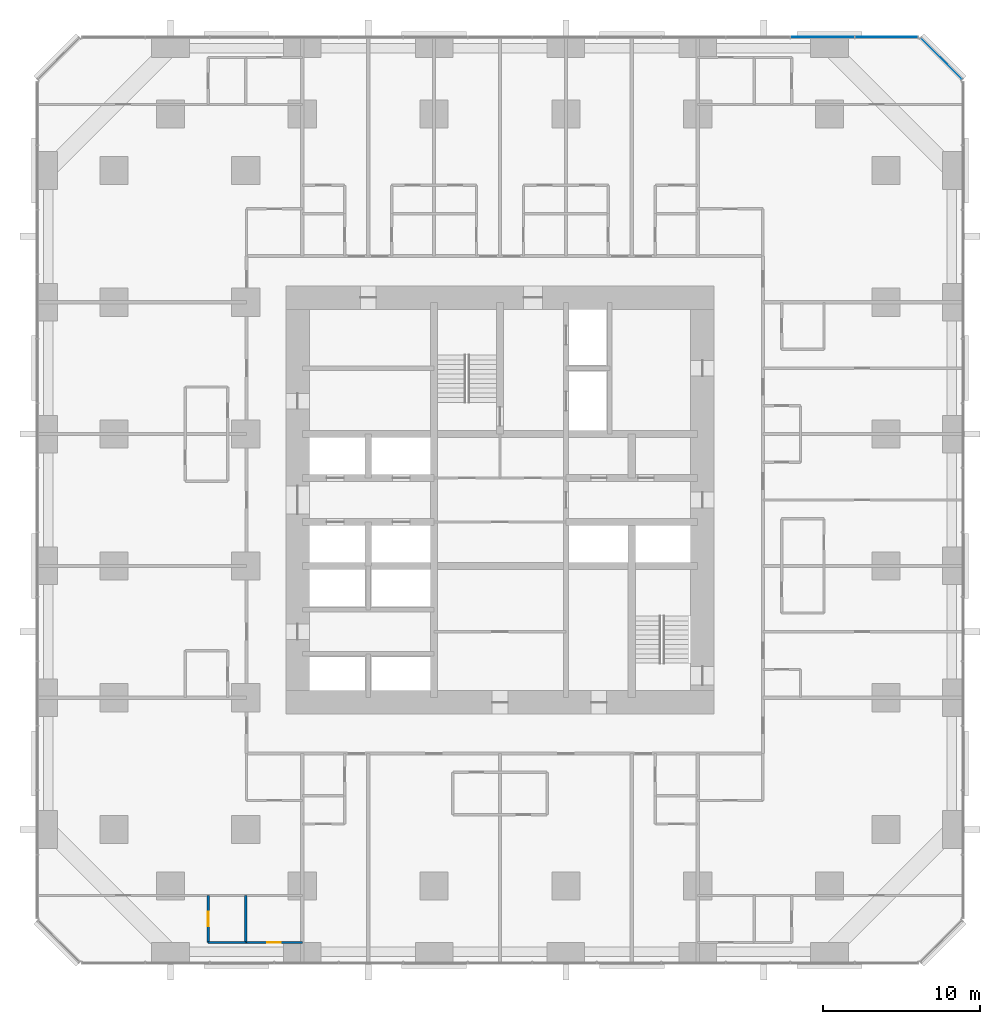
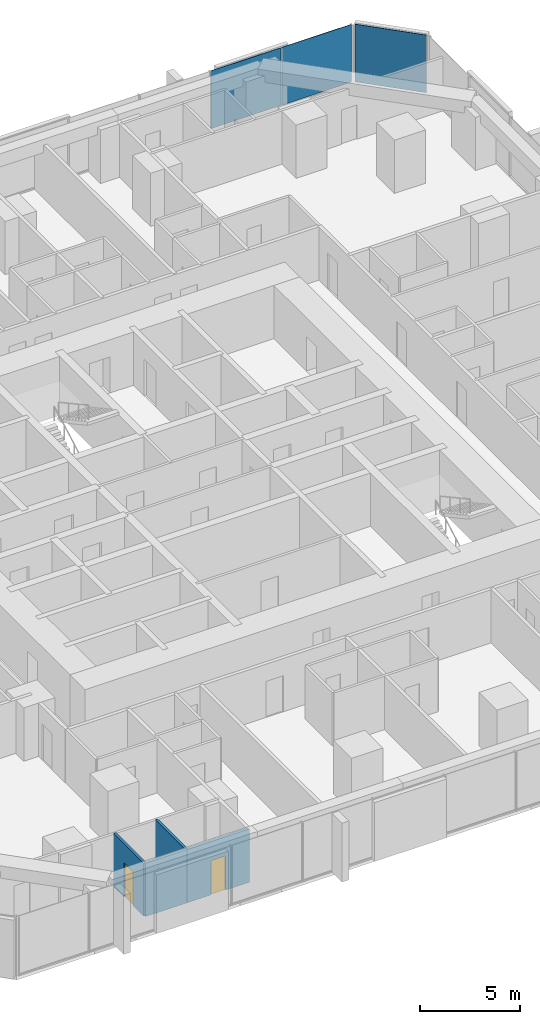
# One storey, part 10 of 17: 4 walls, 3 plates, 2 doors, 2 openings, 2 elements without a shape of their own.
"""IFC4 building model written with IfcOpenShell, lengths in metres."""

import ifcopenshell
import ifcopenshell.guid

model = None  # the IFC model being written
_history = None  # IfcOwnerHistory: only IFC2X3 demands one
_inside = {}  # id of a spatial element -> (the spatial element, [elements in it])
_under = {}  # id of a project, library or spatial element -> (it, [spatial elements below it])
_declared = {}  # id of a project -> (the project, [libraries it declares])
_typed = {}  # id of a type object -> (the type object, [elements of that type])
_made_of = {}  # id of a material, layer set ... -> (it, [elements and type objects made of it])


def new_model(schema):
    """Start an empty IFC model of exactly this schema.

    Asked for "IFC4X3", IfcOpenShell would pick the latest addendum, in which some entities
    have other attributes; the version numbers below select the first issue.
    IFC2X3 requires an IfcOwnerHistory on every rooted entity: one is made here for all.
    """
    global model, _history
    if schema == "IFC4X3":
        model = ifcopenshell.file(schema_version=(4, 3, 0, 0))
    else:
        model = ifcopenshell.file(schema=schema)
    _inside.clear()
    _under.clear()
    _declared.clear()
    _typed.clear()
    _made_of.clear()
    _history = None
    if model.schema == "IFC2X3":
        org = make("IfcOrganization", Name="unknown")
        user = make(
            "IfcPersonAndOrganization",
            ThePerson=make("IfcPerson", FamilyName="unknown"),
            TheOrganization=org,
        )
        app = make(
            "IfcApplication",
            ApplicationDeveloper=org,
            Version="unknown",
            ApplicationFullName="unknown",
            ApplicationIdentifier="unknown",
        )
        _history = make(
            "IfcOwnerHistory",
            OwningUser=user,
            OwningApplication=app,
            ChangeAction="ADDED",
            CreationDate=0,
        )
    return model


def make(cls, **values):
    """One entity of the class cls with the attributes given. An attribute that is None is left unset."""
    return model.create_entity(
        cls, **{name: value for name, value in values.items() if value is not None}
    )


def rooted(cls, **values):
    """An entity with a GlobalId (a new one), such as an element, a storey or a relation."""
    return make(cls, GlobalId=ifcopenshell.guid.new(), OwnerHistory=_history, **values)


def si_unit(unit_type, name, prefix=None):
    """IfcSIUnit, for example si_unit("LENGTHUNIT", "METRE", prefix="MILLI")."""
    return make("IfcSIUnit", UnitType=unit_type, Prefix=prefix, Name=name)


def assignment(units):
    """IfcUnitAssignment: the units of a project."""
    return None if units is None else make("IfcUnitAssignment", Units=units)


def point(xyz):
    """IfcCartesianPoint."""
    return None if xyz is None else make("IfcCartesianPoint", Coordinates=xyz)


def direction(xyz):
    """IfcDirection."""
    return None if xyz is None else make("IfcDirection", DirectionRatios=xyz)


def frame(location, z_axis=None, x_axis=None):
    """IfcAxis2Placement3D, a coordinate frame: its origin and axes. An axis left out is left unset."""
    return make(
        "IfcAxis2Placement3D",
        Location=point(location),
        Axis=direction(z_axis),
        RefDirection=direction(x_axis),
    )


def frame_2d(location, x_axis=None):
    """IfcAxis2Placement2D, a coordinate frame in the plane: its origin and x axis."""
    return make(
        "IfcAxis2Placement2D", Location=point(location), RefDirection=direction(x_axis)
    )


def origin():
    """The frame at (0, 0, 0) with its axes left unset."""
    return frame((0.0, 0.0, 0.0))


def origin_2d():
    """The frame at (0, 0) in the plane with its x axis left unset."""
    return frame_2d((0.0, 0.0))


def place(relative_to, where):
    """IfcLocalPlacement: puts the frame where relative to a parent placement (None: the world)."""
    return make(
        "IfcLocalPlacement", PlacementRelTo=relative_to, RelativePlacement=where
    )


def context(
    kind, dimensions, precision=None, world=None, true_north=None, identifier=None
):
    """IfcGeometricRepresentationContext, for example the 3D "Model" context."""
    return make(
        "IfcGeometricRepresentationContext",
        ContextIdentifier=identifier,
        ContextType=kind,
        CoordinateSpaceDimension=dimensions,
        Precision=precision,
        WorldCoordinateSystem=world,
        TrueNorth=true_north,
    )


def subcontext(parent, identifier, kind, view, scale=None):
    """IfcGeometricRepresentationSubContext, for example "Body" below "Model"."""
    return make(
        "IfcGeometricRepresentationSubContext",
        ContextIdentifier=identifier,
        ContextType=kind,
        ParentContext=parent,
        TargetScale=scale,
        TargetView=view,
    )


def project(units=None, contexts=None):
    """IfcProject with its units and contexts."""
    return rooted(
        "IfcProject",
        Name="project",
        RepresentationContexts=contexts,
        UnitsInContext=assignment(units),
    )


def spatial(cls, under=None, at=None, **own):
    """A site, building, storey or space (cls), placed at a placement, below another one or the project."""
    s = rooted(cls, ObjectPlacement=at, **own)
    if under is not None:
        _under.setdefault(under.id(), (under, []))[1].append(s)
    return s


def profile(cls, at=None, kind="AREA", **sizes):
    """A parametric profile (cls). Its sizes go by their IFC names, for example OverallWidth=200.0."""
    return make(cls, ProfileType=kind, Position=at, **sizes)


def rectangle(**sizes):
    """IfcRectangleProfileDef."""
    return profile("IfcRectangleProfileDef", **sizes)


def extrude(swept, where, along, depth):
    """IfcExtrudedAreaSolid: the profile swept, set in the frame where, extruded along a direction by depth."""
    return make(
        "IfcExtrudedAreaSolid",
        SweptArea=swept,
        Position=where,
        ExtrudedDirection=direction(along),
        Depth=depth,
    )


def shape(context_of_items, identifier, shape_type, items):
    """IfcShapeRepresentation: the items that make up one representation, for example the "Body"."""
    return make(
        "IfcShapeRepresentation",
        ContextOfItems=context_of_items,
        RepresentationIdentifier=identifier,
        RepresentationType=shape_type,
        Items=items,
    )


def material(Name=None, Category=None):
    """IfcMaterial."""
    return make("IfcMaterial", Name=Name, Category=Category)


def layer(
    of_material, thickness, ventilated=None, Name=None, Category=None, Priority=None
):
    """IfcMaterialLayer: one layer of a wall or slab, of a material (None: an air gap)."""
    return make(
        "IfcMaterialLayer",
        Material=of_material,
        LayerThickness=thickness,
        IsVentilated=ventilated,
        Name=Name,
        Category=Category,
        Priority=Priority,
    )


def layer_set(layers, Name=None):
    """IfcMaterialLayerSet."""
    return make("IfcMaterialLayerSet", MaterialLayers=layers, LayerSetName=Name)


def made_of(thing, what):
    """Note that an element or type object is made of a material, layer set ...; save() writes the relation."""
    if what is not None:
        _made_of.setdefault(what.id(), (what, []))[1].append(thing)
    return thing


def type_object(cls, material=None, **own):
    """A type object (cls), such as IfcWallType, which elements share."""
    return made_of(rooted(cls, **own), material)


def element(
    cls,
    number,
    at=None,
    inside=None,
    cuts=None,
    type_object=None,
    material=None,
    context=None,
    identifier="Body",
    shape_type=None,
    held_by="IfcProductDefinitionShape",
    body=None,
    shapes=None,
    **own,
):
    """One element of the class cls, such as IfcWall. Its Tag is "e" and its number.

    at: its placement. inside: the storey or other place that contains it. cuts: it is an
    opening in that element (IfcRelVoidsElement). A single representation is given by context,
    identifier, shape_type and body (its items); several are given by shapes. held_by: the class
    of the entity that holds the representations. save() writes the other relations.
    """
    e = rooted(cls, Tag="e%d" % number, ObjectPlacement=at, **own)
    if body is not None:
        shapes = [shape(context, identifier, shape_type, body)]
    if shapes is not None:
        e.Representation = make(held_by, Representations=shapes)
    if inside is not None:
        _inside.setdefault(inside.id(), (inside, []))[1].append(e)
    if cuts is not None:
        rooted(
            "IfcRelVoidsElement", RelatingBuildingElement=cuts, RelatedOpeningElement=e
        )
    if type_object is not None:
        _typed.setdefault(type_object.id(), (type_object, []))[1].append(e)
    return made_of(e, material)


def fill(opening, filler):
    """IfcRelFillsElement: the door or window that sits in an opening."""
    return rooted(
        "IfcRelFillsElement",
        RelatingOpeningElement=opening,
        RelatedBuildingElement=filler,
    )


def aggregate(whole, parts):
    """IfcRelAggregates: a whole, such as a stair, and the parts it consists of."""
    return rooted("IfcRelAggregates", RelatingObject=whole, RelatedObjects=parts)


def save(model, path):
    """Write the relations noted so far, then the file.

    IfcRelAggregates (storeys below a building ...), IfcRelContainedInSpatialStructure (elements
    in a storey), IfcRelDefinesByType, IfcRelAssociatesMaterial and IfcRelDeclares: one each for
    every whole, place, type object, material and project.
    """
    for whole, parts in _under.values():
        aggregate(whole, parts)
    for where, things in _inside.values():
        rooted(
            "IfcRelContainedInSpatialStructure",
            RelatedElements=things,
            RelatingStructure=where,
        )
    for kind, things in _typed.values():
        rooted("IfcRelDefinesByType", RelatedObjects=things, RelatingType=kind)
    for what, things in _made_of.values():
        rooted("IfcRelAssociatesMaterial", RelatedObjects=things, RelatingMaterial=what)
    for by, libraries in _declared.values():
        rooted("IfcRelDeclares", RelatingContext=by, RelatedDefinitions=libraries)
    model.write(path)


model = new_model("IFC4")

# Units and contexts
model_context = context("Model", 3, precision=1e-05, world=origin(), true_north=direction((0.0, 1.0)))
body_context = subcontext(model_context, "Body", "Model", "MODEL_VIEW")
ifc_project = project(units=[si_unit("LENGTHUNIT", "METRE"), si_unit("AREAUNIT", "SQUARE_METRE"), si_unit("VOLUMEUNIT", "CUBIC_METRE"), si_unit("PLANEANGLEUNIT", "RADIAN"), si_unit("MASSUNIT", "GRAM", prefix="KILO")], contexts=[model_context])

# Site, building, storey
site_placement = place(None, origin())
site = spatial("IfcSite", under=ifc_project, at=site_placement, CompositionType="ELEMENT")
building_placement = place(site_placement, origin())
building = spatial("IfcBuilding", under=site, at=building_placement, Name="Dunama Terrace Hotel", CompositionType="ELEMENT")
storey_placement = place(building_placement, frame((0.0, 0.0, 63.0)))
storey = spatial("IfcBuildingStorey", under=building, at=storey_placement, Name="L15", CompositionType="ELEMENT", Elevation=63.0)

# Curtain wall, plate
ifc_material_1 = material(Name="Aluminium curtain wall system", Category="aluminium")
curtain_wall_type = type_object("IfcCurtainWallType", Name="Unitised fritted glass wall CW-A", PredefinedType="NOTDEFINED", material=ifc_material_1)
curtain_wall_1_placement = place(storey_placement, origin())
curtain_wall_1 = element("IfcCurtainWall", 1, at=curtain_wall_1_placement, inside=storey, type_object=curtain_wall_type, Name="Unitised fritted glass wall CW-A L15", PredefinedType="NOTDEFINED")
ifc_material_2 = material(Name="Laminated glass", Category="glass")
ifc_layer_1 = layer(ifc_material_2, 0.030029296875)
ifc_layer_set_1 = layer_set([ifc_layer_1], Name="CWA clear glass panel")
plate_type_1 = type_object("IfcPlateType", Name="CWA clear glass panel", PredefinedType="CURTAIN_PANEL", material=ifc_layer_set_1)
plate_1_placement = place(storey_placement, frame((57.52099609375, 57.52099609375, 0.074951171875), z_axis=(0.0, 0.0, 1.0), x_axis=(-0.707106781187, 0.707106781187, 0.0)))
plate_1 = element("IfcPlate", 2, at=plate_1_placement, type_object=plate_type_1, Name="CWA clear glass panel", PredefinedType="CURTAIN_PANEL", context=body_context, shape_type="SweptSolid", body=[
    extrude(rectangle(XDim=3.6884765625, YDim=0.030029296875, at=origin_2d()), origin(), (0.0, 0.0, 1.0), 3.52490234375),
])
aggregate(curtain_wall_1, [plate_1])

# Curtain wall, plates
curtain_wall_2_placement = place(storey_placement, origin())
curtain_wall_2 = element("IfcCurtainWall", 3, at=curtain_wall_2_placement, inside=storey, type_object=curtain_wall_type, Name="Unitised fritted glass wall CW-A L15", PredefinedType="NOTDEFINED")
ifc_material_3 = material(Name="Fritted laminated glass", Category="glass")
ifc_layer_2 = layer(ifc_material_3, 0.030029296875)
ifc_layer_set_2 = layer_set([ifc_layer_2], Name="CWA fritted glass panel")
plate_type_2 = type_object("IfcPlateType", Name="CWA fritted glass panel", PredefinedType="CURTAIN_PANEL", material=ifc_layer_set_2)
plate_2_placement = place(storey_placement, frame((49.93798828125, 58.89990234375, 0.074951171875), z_axis=(0.0, 0.0, 1.0), x_axis=(-1.0, 0.0, 0.0)))
plate_2 = element("IfcPlate", 4, at=plate_2_placement, type_object=plate_type_2, Name="CWA fritted glass panel", PredefinedType="CURTAIN_PANEL", context=body_context, shape_type="SweptSolid", body=[
    extrude(rectangle(XDim=4.042724609375, YDim=0.030029296875, at=origin_2d()), origin(), (0.0, 0.0, 1.0), 3.52490234375),
])
ifc_material_4 = material(Name="Laminated glass", Category="glass")
ifc_layer_3 = layer(ifc_material_4, 0.030029296875)
ifc_layer_set_3 = layer_set([ifc_layer_3], Name="CWA operable glass panel")
plate_type_3 = type_object("IfcPlateType", Name="CWA operable glass panel", PredefinedType="CURTAIN_PANEL", material=ifc_layer_set_3)
plate_3_placement = place(storey_placement, frame((54.030029296875, 58.89990234375, 0.074951171875), z_axis=(0.0, 0.0, 1.0), x_axis=(-1.0, 0.0, 0.0)))
plate_3 = element("IfcPlate", 5, at=plate_3_placement, type_object=plate_type_3, Name="CWA operable glass panel", PredefinedType="CURTAIN_PANEL", context=body_context, shape_type="SweptSolid", body=[
    extrude(rectangle(XDim=4.01025390625, YDim=0.030029296875, at=origin_2d()), origin(), (0.0, 0.0, 1.0), 3.52490234375),
])
aggregate(curtain_wall_2, [plate_3, plate_2])

# Wall, opening, door
ifc_material_5 = material(Name="Gypsum board partition", Category="masonry")
ifc_layer_4 = layer(ifc_material_5, 0.14990234375)
ifc_layer_set_4 = layer_set([ifc_layer_4], Name="Bathroom partition 150")
wall_type_1 = type_object("IfcWallType", Name="Bathroom partition 150", PredefinedType="PARTITIONING", material=ifc_layer_set_4)
wall_1_placement = place(storey_placement, frame((13.199951171875, 1.199951171875, 0.0), z_axis=(0.0, 0.0, 1.0), x_axis=(1.0, 0.0, 0.0)))
wall_1 = element("IfcWall", 6, at=wall_1_placement, inside=storey, type_object=wall_type_1, Name="Bathroom partition 150 L15", PredefinedType="PARTITIONING", context=body_context, shape_type="SweptSolid", body=[
    extrude(rectangle(XDim=3.60009765625, YDim=0.14990234375, at=frame_2d((1.800048828125, 0.0))), origin(), (0.0, 0.0, 1.0), 3.25),
])
opening_1_placement = place(wall_1_placement, frame((1.375, 0.0, 0.0)))
opening_1 = element("IfcOpeningElement", 7, at=opening_1_placement, cuts=wall_1, Name="Opening L15-16-058", PredefinedType="OPENING", context=body_context, shape_type="SweptSolid", body=[
    extrude(rectangle(XDim=0.85009765625, YDim=2.10009765625, at=frame_2d((0.425048828125, 1.050048828125))), frame((0.0, 0.0849609375, 0.0), z_axis=(0.0, -1.0, 0.0), x_axis=(1.0, 0.0, 0.0)), (0.0, 0.0, 1.0), 0.169921875),
])
ifc_material_6 = material(Name="Timber door with steel frame", Category="steel")
door_type_1 = type_object("IfcDoorType", Name="Bathroom door 850", OperationType="SINGLE_SWING_LEFT", PredefinedType="DOOR", material=ifc_material_6)
door_1_placement = place(opening_1_placement, origin())
door_1 = element("IfcDoor", 8, at=door_1_placement, inside=storey, type_object=door_type_1, Name="Door to en-suite bathroom L15-16-058, type D2", OperationType="SINGLE_SWING_RIGHT", OverallHeight=2.10009765625, OverallWidth=0.85009765625, PredefinedType="DOOR", context=body_context, shape_type="SweptSolid", body=[
    extrude(rectangle(XDim=0.85009765625, YDim=2.10009765625, at=frame_2d((0.425048828125, 1.050048828125))), frame((0.0, 0.02490234375, 0.0), z_axis=(0.0, -1.0, 0.0), x_axis=(1.0, 0.0, 0.0)), (0.0, 0.0, 1.0), 0.050048828125),
])
fill(opening_1, door_1)

ifc_material_7 = material(Name="Gypsum board partition", Category="masonry")
ifc_layer_5 = layer(ifc_material_7, 0.14990234375)
ifc_layer_set_5 = layer_set([ifc_layer_5], Name="Room partition 150")
wall_type_2 = type_object("IfcWallType", Name="Room partition 150", PredefinedType="PARTITIONING", material=ifc_layer_set_5)
wall_2_placement = place(storey_placement, frame((10.800048828125, 1.199951171875, 0.0), z_axis=(0.0, 0.0, 1.0), x_axis=(0.0, 1.0, 0.0)))
wall_2 = element("IfcWall", 9, at=wall_2_placement, inside=storey, type_object=wall_type_2, Name="Room partition 150 L15", PredefinedType="PARTITIONING", context=body_context, shape_type="SweptSolid", body=[
    extrude(rectangle(XDim=3.0, YDim=0.14990234375, at=frame_2d((1.5, 0.0))), origin(), (0.0, 0.0, 1.0), 3.25),
])
opening_2_placement = place(wall_2_placement, frame((1.050048828125, 0.0, 0.0)))
opening_2 = element("IfcOpeningElement", 10, at=opening_2_placement, cuts=wall_2, Name="Opening L15-16-059", PredefinedType="OPENING", context=body_context, shape_type="SweptSolid", body=[
    extrude(rectangle(XDim=0.89990234375, YDim=2.10009765625, at=frame_2d((0.449951171875, 1.050048828125))), frame((0.0, 0.0849609375, 0.0), z_axis=(0.0, -1.0, 0.0), x_axis=(1.0, 0.0, 0.0)), (0.0, 0.0, 1.0), 0.169921875),
])
ifc_material_8 = material(Name="Timber door with steel frame", Category="steel")
door_type_2 = type_object("IfcDoorType", Name="Suite internal door 900", OperationType="SINGLE_SWING_LEFT", PredefinedType="DOOR", material=ifc_material_8)
door_2_placement = place(opening_2_placement, frame((0.89990234375, 0.0, 0.0), z_axis=(0.0, 0.0, 1.0), x_axis=(-1.0, 0.0, 0.0)))
door_2 = element("IfcDoor", 11, at=door_2_placement, inside=storey, type_object=door_type_2, Name="Door to dressing room L15-16-059, type D16", OperationType="SINGLE_SWING_RIGHT", OverallHeight=2.10009765625, OverallWidth=0.89990234375, PredefinedType="DOOR", context=body_context, shape_type="SweptSolid", body=[
    extrude(rectangle(XDim=0.89990234375, YDim=2.10009765625, at=frame_2d((0.449951171875, 1.050048828125))), frame((0.0, 0.025146484375, 0.0), z_axis=(0.0, -1.0, 0.0), x_axis=(1.0, 0.0, 0.0)), (0.0, 0.0, 1.0), 0.050048828125),
])
fill(opening_2, door_2)

# Walls
wall_3_placement = place(storey_placement, frame((13.199951171875, 1.199951171875, 0.0), z_axis=(0.0, 0.0, 1.0), x_axis=(0.0, 1.0, 0.0)))
element("IfcWall", 12, at=wall_3_placement, inside=storey, type_object=wall_type_2, Name="Room partition 150 L15", PredefinedType="PARTITIONING", context=body_context, shape_type="SweptSolid", body=[
    extrude(rectangle(XDim=3.0, YDim=0.14990234375, at=frame_2d((1.5, 0.0))), origin(), (0.0, 0.0, 1.0), 3.25),
])
wall_4_placement = place(storey_placement, frame((10.800048828125, 1.199951171875, 0.0), z_axis=(0.0, 0.0, 1.0), x_axis=(1.0, 0.0, 0.0)))
element("IfcWall", 13, at=wall_4_placement, inside=storey, type_object=wall_type_2, Name="Room partition 150 L15", PredefinedType="PARTITIONING", context=body_context, shape_type="SweptSolid", body=[
    extrude(rectangle(XDim=2.39990234375, YDim=0.14990234375, at=frame_2d((1.199951171875, 0.0))), origin(), (0.0, 0.0, 1.0), 3.25),
])

save(model, "model.ifc")
